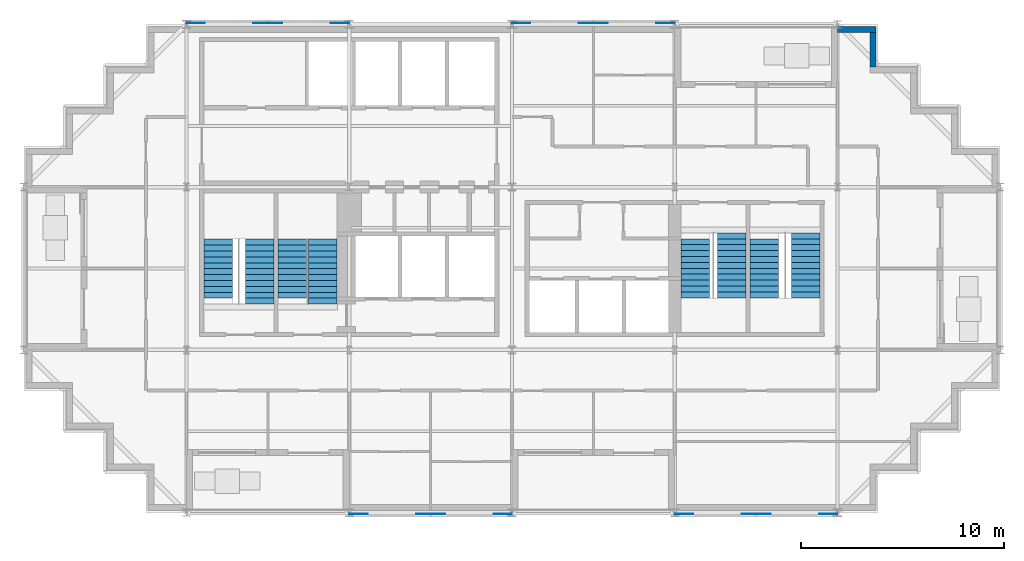
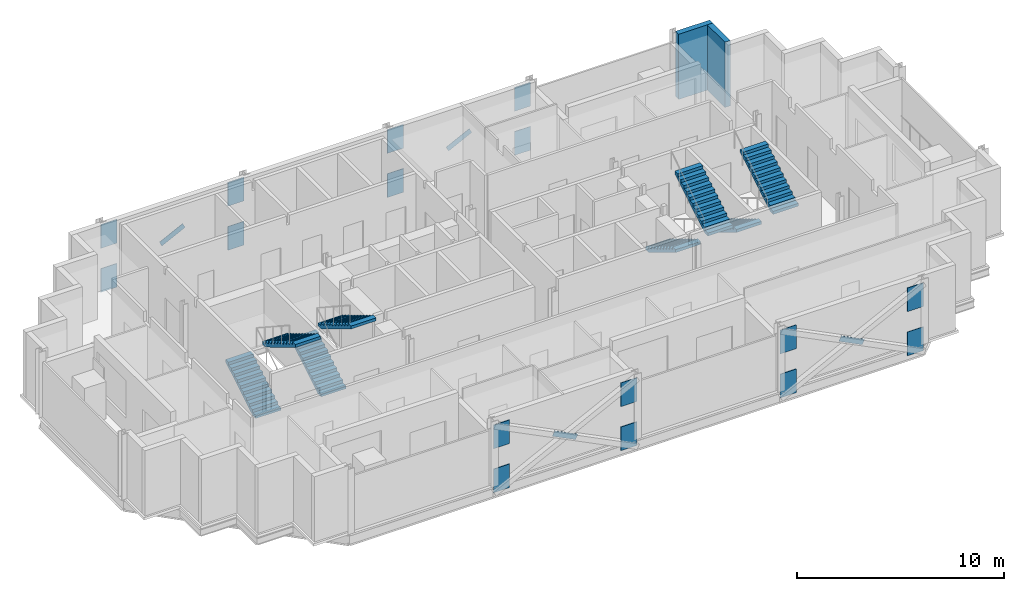
# One storey, part 8 of 10: 20 discrete accessories, 8 stair flights, 2 walls, 4 elements without a shape of their own.
"""IFC4 building model written with IfcOpenShell, lengths in metres."""

from ifc_helpers import new_model, si_unit, direction, frame, frame_2d, origin, origin_2d, place, context, subcontext, project, spatial, polyline, rectangle, outline, extrude, material, layer, layer_set, material_profile, profile_set, type_object, element, aggregate, save


model = new_model("IFC4")

# Units and contexts
model_context = context("Model", 3, precision=1e-05, world=origin(), true_north=direction((0.0, 1.0)))
body_context = subcontext(model_context, "Body", "Model", "MODEL_VIEW")
ifc_project = project(units=[si_unit("LENGTHUNIT", "METRE"), si_unit("AREAUNIT", "SQUARE_METRE"), si_unit("VOLUMEUNIT", "CUBIC_METRE"), si_unit("PLANEANGLEUNIT", "RADIAN"), si_unit("MASSUNIT", "GRAM", prefix="KILO")], contexts=[model_context])

# Site, building, storey
site_placement = place(None, origin())
site = spatial("IfcSite", under=ifc_project, at=site_placement, CompositionType="ELEMENT")
building_placement = place(site_placement, origin())
building = spatial("IfcBuilding", under=site, at=building_placement, Name="Immortelle Media Tower", CompositionType="ELEMENT")
storey_placement = place(building_placement, frame((0.0, 0.0, 279.0)))
storey = spatial("IfcBuildingStorey", under=building, at=storey_placement, Name="L61", CompositionType="ELEMENT", Elevation=279.0)

# Walls
ifc_material_1 = material(Name="Pale aluminium cladding panel", Category="aluminium")
ifc_layer_1 = layer(ifc_material_1, 0.030029296875)
ifc_material_2 = material(Name="Steel ASTM A653 SS Gr 50 stud frame with mineral wool", Category="steel")
ifc_layer_2 = layer(ifc_material_2, 0.257568359375)
ifc_material_3 = material(Name="Moisture-resistant gypsum board", Category="gypsum")
ifc_layer_3 = layer(ifc_material_3, 0.012451171875)
ifc_layer_set = layer_set([ifc_layer_1, ifc_layer_2, ifc_layer_3], Name="Steel ASTM A653 SS Gr 50 stud frame with mineral wool")
wall_type = type_object("IfcWallType", Name="Facade wall 300", PredefinedType="SOLIDWALL", material=ifc_layer_set)
wall_1_placement = place(storey_placement, frame((41.75, 21.89990234375, 0.0), z_axis=(0.0, 0.0, 1.0), x_axis=(0.0, 1.0, 0.0)))
element("IfcWall", 1, at=wall_1_placement, inside=storey, type_object=wall_type, Name="Facade wall L61 E19", PredefinedType="SOLIDWALL", context=body_context, shape_type="SweptSolid", body=[
    extrude(rectangle(XDim=1.7001953125, YDim=0.300048828125, at=frame_2d((0.85009765625, 0.0))), origin(), (0.0, 0.0, 1.0), 3.85009765625),
])
wall_2_placement = place(storey_placement, frame((41.89990234375, 23.75, 0.0), z_axis=(0.0, 0.0, 1.0), x_axis=(-1.0, 0.0, 0.0)))
element("IfcWall", 2, at=wall_2_placement, inside=storey, type_object=wall_type, Name="Facade wall L61 N20", PredefinedType="SOLIDWALL", context=body_context, shape_type="SweptSolid", body=[
    extrude(rectangle(XDim=1.89990234375, YDim=0.300048828125, at=frame_2d((0.949951171875, 0.0))), origin(), (0.0, 0.0, 1.0), 3.85009765625),
])

# Stair, stair flights
ifc_material_4 = material(Name="Steel ASTM A992 Gr 50", Category="steel")
stair_type = type_object("IfcStairType", Name="Stair with flights", PredefinedType="DOUBLE_RETURN_STAIR", material=ifc_material_4)
stair_1_placement = place(storey_placement, origin())
stair_1 = element("IfcStair", 3, at=stair_1_placement, inside=storey, type_object=stair_type, Name="Exit stair SW1", PredefinedType="DOUBLE_RETURN_STAIR")
stair_flight_type = type_object("IfcStairFlightType", Name="Stair flight 1400", PredefinedType="STRAIGHT", material=ifc_material_4)
stair_flight_1_placement = place(storey_placement, frame((9.550048828125, 10.5400390625, 0.0), z_axis=(0.0, 0.0, 1.0), x_axis=(0.0, 1.0, 0.0)))
stair_flight_1 = element("IfcStairFlight", 4, at=stair_flight_1_placement, type_object=stair_flight_type, Name="ST SW1 flight 1", NumberOfRisers=11, NumberOfTreads=10, PredefinedType="STRAIGHT", RiserHeight=0.173913043, TreadLength=0.29, context=body_context, shape_type="SweptSolid", body=[
    extrude(outline(polyline([(0.0, 0.0), (0.0, 0.173828125), (0.2900390625, 0.173828125), (0.2900390625, 0.347900390625), (0.580078125, 0.347900390625), (0.580078125, 0.521728515625), (0.8701171875, 0.521728515625), (0.8701171875, 0.695556640625), (1.159912109375, 0.695556640625), (1.159912109375, 0.86962890625), (1.449951171875, 0.86962890625), (1.449951171875, 1.04345703125), (1.739990234375, 1.04345703125), (1.739990234375, 1.21728515625), (2.030029296875, 1.21728515625), (2.030029296875, 1.391357421875), (2.320068359375, 1.391357421875), (2.320068359375, 1.565185546875), (2.610107421875, 1.565185546875), (2.610107421875, 1.739013671875), (2.89990234375, 1.739013671875), (2.89990234375, 1.9130859375), (2.89990234375, 1.564453125), (0.29150390625, 0.0), (0.0, 0.0)])), frame((0.0, 0.699951171875, 0.0), z_axis=(0.0, -1.0, 0.0), x_axis=(1.0, 0.0, 0.0)), (0.0, 0.0, 1.0), 1.39990234375),
])
stair_flight_2_placement = place(storey_placement, frame((11.60009765625, 13.43994140625, 1.9130859375), z_axis=(0.0, 0.0, 1.0), x_axis=(0.0, -1.0, 0.0)))
stair_flight_2 = element("IfcStairFlight", 5, at=stair_flight_2_placement, type_object=stair_flight_type, Name="ST SW1 flight 2", NumberOfRisers=12, NumberOfTreads=11, PredefinedType="STRAIGHT", RiserHeight=0.173913043, TreadLength=0.29, context=body_context, shape_type="SweptSolid", body=[
    extrude(outline(polyline([(0.0, 0.0), (0.0, 0.173828125), (0.2900390625, 0.173828125), (0.2900390625, 0.347900390625), (0.580078125, 0.347900390625), (0.580078125, 0.521728515625), (0.8701171875, 0.521728515625), (0.8701171875, 0.695556640625), (1.159912109375, 0.695556640625), (1.159912109375, 0.86962890625), (1.449951171875, 0.86962890625), (1.449951171875, 1.04345703125), (1.739990234375, 1.04345703125), (1.739990234375, 1.21728515625), (2.030029296875, 1.21728515625), (2.030029296875, 1.391357421875), (2.320068359375, 1.391357421875), (2.320068359375, 1.565185546875), (2.610107421875, 1.565185546875), (2.610107421875, 1.739013671875), (2.89990234375, 1.739013671875), (2.89990234375, 1.9130859375), (3.18994140625, 1.9130859375), (3.18994140625, 2.0869140625), (3.18994140625, 1.73828125), (0.29150390625, 0.0), (0.0, 0.0)])), frame((0.0, 0.699951171875, 0.0), z_axis=(0.0, -1.0, 0.0), x_axis=(1.0, 0.0, 0.0)), (0.0, 0.0, 1.0), 1.39990234375),
])
aggregate(stair_1, [stair_flight_1, stair_flight_2])

stair_2_placement = place(storey_placement, origin())
stair_2 = element("IfcStair", 6, at=stair_2_placement, inside=storey, type_object=stair_type, Name="Exit stair SW2", PredefinedType="DOUBLE_RETURN_STAIR")
stair_flight_3_placement = place(storey_placement, frame((13.199951171875, 10.5400390625, 0.0), z_axis=(0.0, 0.0, 1.0), x_axis=(0.0, 1.0, 0.0)))
stair_flight_3 = element("IfcStairFlight", 7, at=stair_flight_3_placement, type_object=stair_flight_type, Name="ST SW2 flight 1", NumberOfRisers=11, NumberOfTreads=10, PredefinedType="STRAIGHT", RiserHeight=0.173913043, TreadLength=0.29, context=body_context, shape_type="SweptSolid", body=[
    extrude(outline(polyline([(0.0, 0.0), (0.0, 0.173828125), (0.2900390625, 0.173828125), (0.2900390625, 0.347900390625), (0.580078125, 0.347900390625), (0.580078125, 0.521728515625), (0.8701171875, 0.521728515625), (0.8701171875, 0.695556640625), (1.159912109375, 0.695556640625), (1.159912109375, 0.86962890625), (1.449951171875, 0.86962890625), (1.449951171875, 1.04345703125), (1.739990234375, 1.04345703125), (1.739990234375, 1.21728515625), (2.030029296875, 1.21728515625), (2.030029296875, 1.391357421875), (2.320068359375, 1.391357421875), (2.320068359375, 1.565185546875), (2.610107421875, 1.565185546875), (2.610107421875, 1.739013671875), (2.89990234375, 1.739013671875), (2.89990234375, 1.9130859375), (2.89990234375, 1.564453125), (0.29150390625, 0.0), (0.0, 0.0)])), frame((0.0, 0.699951171875, 0.0), z_axis=(0.0, -1.0, 0.0), x_axis=(1.0, 0.0, 0.0)), (0.0, 0.0, 1.0), 1.39990234375),
])
stair_flight_4_placement = place(storey_placement, frame((14.699951171875, 13.43994140625, 1.9130859375), z_axis=(0.0, 0.0, 1.0), x_axis=(0.0, -1.0, 0.0)))
stair_flight_4 = element("IfcStairFlight", 8, at=stair_flight_4_placement, type_object=stair_flight_type, Name="ST SW2 flight 2", NumberOfRisers=12, NumberOfTreads=11, PredefinedType="STRAIGHT", RiserHeight=0.173913043, TreadLength=0.29, context=body_context, shape_type="SweptSolid", body=[
    extrude(outline(polyline([(0.0, 0.0), (0.0, 0.173828125), (0.2900390625, 0.173828125), (0.2900390625, 0.347900390625), (0.580078125, 0.347900390625), (0.580078125, 0.521728515625), (0.8701171875, 0.521728515625), (0.8701171875, 0.695556640625), (1.159912109375, 0.695556640625), (1.159912109375, 0.86962890625), (1.449951171875, 0.86962890625), (1.449951171875, 1.04345703125), (1.739990234375, 1.04345703125), (1.739990234375, 1.21728515625), (2.030029296875, 1.21728515625), (2.030029296875, 1.391357421875), (2.320068359375, 1.391357421875), (2.320068359375, 1.565185546875), (2.610107421875, 1.565185546875), (2.610107421875, 1.739013671875), (2.89990234375, 1.739013671875), (2.89990234375, 1.9130859375), (3.18994140625, 1.9130859375), (3.18994140625, 2.0869140625), (3.18994140625, 1.73828125), (0.29150390625, 0.0), (0.0, 0.0)])), frame((0.0, 0.699951171875, 0.0), z_axis=(0.0, -1.0, 0.0), x_axis=(1.0, 0.0, 0.0)), (0.0, 0.0, 1.0), 1.39990234375),
])
aggregate(stair_2, [stair_flight_3, stair_flight_4])

stair_3_placement = place(storey_placement, origin())
stair_3 = element("IfcStair", 9, at=stair_3_placement, inside=storey, type_object=stair_type, Name="Exit stair SE1", PredefinedType="DOUBLE_RETURN_STAIR")
stair_flight_5_placement = place(storey_placement, frame((33.0, 13.4599609375, 0.0), z_axis=(0.0, 0.0, 1.0), x_axis=(0.0, -1.0, 0.0)))
stair_flight_5 = element("IfcStairFlight", 10, at=stair_flight_5_placement, type_object=stair_flight_type, Name="ST SE1 flight 1", NumberOfRisers=11, NumberOfTreads=10, PredefinedType="STRAIGHT", RiserHeight=0.173913043, TreadLength=0.29, context=body_context, shape_type="SweptSolid", body=[
    extrude(outline(polyline([(0.0, 0.0), (0.0, 0.173828125), (0.2900390625, 0.173828125), (0.2900390625, 0.347900390625), (0.580078125, 0.347900390625), (0.580078125, 0.521728515625), (0.8701171875, 0.521728515625), (0.8701171875, 0.695556640625), (1.159912109375, 0.695556640625), (1.159912109375, 0.86962890625), (1.449951171875, 0.86962890625), (1.449951171875, 1.04345703125), (1.739990234375, 1.04345703125), (1.739990234375, 1.21728515625), (2.030029296875, 1.21728515625), (2.030029296875, 1.391357421875), (2.320068359375, 1.391357421875), (2.320068359375, 1.565185546875), (2.610107421875, 1.565185546875), (2.610107421875, 1.739013671875), (2.89990234375, 1.739013671875), (2.89990234375, 1.9130859375), (2.89990234375, 1.564453125), (0.29150390625, 0.0), (0.0, 0.0)])), frame((0.0, 0.699951171875, 0.0), z_axis=(0.0, -1.0, 0.0), x_axis=(1.0, 0.0, 0.0)), (0.0, 0.0, 1.0), 1.39990234375),
])
stair_flight_6_placement = place(storey_placement, frame((34.800048828125, 10.56005859375, 1.9130859375), z_axis=(0.0, 0.0, 1.0), x_axis=(0.0, 1.0, 0.0)))
stair_flight_6 = element("IfcStairFlight", 11, at=stair_flight_6_placement, type_object=stair_flight_type, Name="ST SE1 flight 2", NumberOfRisers=12, NumberOfTreads=11, PredefinedType="STRAIGHT", RiserHeight=0.173913043, TreadLength=0.29, context=body_context, shape_type="SweptSolid", body=[
    extrude(outline(polyline([(0.0, 0.0), (0.0, 0.173828125), (0.2900390625, 0.173828125), (0.2900390625, 0.347900390625), (0.580078125, 0.347900390625), (0.580078125, 0.521728515625), (0.8701171875, 0.521728515625), (0.8701171875, 0.695556640625), (1.159912109375, 0.695556640625), (1.159912109375, 0.86962890625), (1.449951171875, 0.86962890625), (1.449951171875, 1.04345703125), (1.739990234375, 1.04345703125), (1.739990234375, 1.21728515625), (2.030029296875, 1.21728515625), (2.030029296875, 1.391357421875), (2.320068359375, 1.391357421875), (2.320068359375, 1.565185546875), (2.610107421875, 1.565185546875), (2.610107421875, 1.739013671875), (2.89990234375, 1.739013671875), (2.89990234375, 1.9130859375), (3.18994140625, 1.9130859375), (3.18994140625, 2.0869140625), (3.18994140625, 1.73828125), (0.29150390625, 0.0), (0.0, 0.0)])), frame((0.0, 0.699951171875, 0.0), z_axis=(0.0, -1.0, 0.0), x_axis=(1.0, 0.0, 0.0)), (0.0, 0.0, 1.0), 1.39990234375),
])
aggregate(stair_3, [stair_flight_5, stair_flight_6])

stair_4_placement = place(storey_placement, origin())
stair_4 = element("IfcStair", 12, at=stair_4_placement, inside=storey, type_object=stair_type, Name="Exit stair SE2", PredefinedType="DOUBLE_RETURN_STAIR")
stair_flight_7_placement = place(storey_placement, frame((36.39990234375, 13.4599609375, 0.0), z_axis=(0.0, 0.0, 1.0), x_axis=(0.0, -1.0, 0.0)))
stair_flight_7 = element("IfcStairFlight", 13, at=stair_flight_7_placement, type_object=stair_flight_type, Name="ST SE2 flight 1", NumberOfRisers=11, NumberOfTreads=10, PredefinedType="STRAIGHT", RiserHeight=0.173913043, TreadLength=0.29, context=body_context, shape_type="SweptSolid", body=[
    extrude(outline(polyline([(0.0, 0.0), (0.0, 0.173828125), (0.2900390625, 0.173828125), (0.2900390625, 0.347900390625), (0.580078125, 0.347900390625), (0.580078125, 0.521728515625), (0.8701171875, 0.521728515625), (0.8701171875, 0.695556640625), (1.159912109375, 0.695556640625), (1.159912109375, 0.86962890625), (1.449951171875, 0.86962890625), (1.449951171875, 1.04345703125), (1.739990234375, 1.04345703125), (1.739990234375, 1.21728515625), (2.030029296875, 1.21728515625), (2.030029296875, 1.391357421875), (2.320068359375, 1.391357421875), (2.320068359375, 1.565185546875), (2.610107421875, 1.565185546875), (2.610107421875, 1.739013671875), (2.89990234375, 1.739013671875), (2.89990234375, 1.9130859375), (2.89990234375, 1.564453125), (0.29150390625, 0.0), (0.0, 0.0)])), frame((0.0, 0.699951171875, 0.0), z_axis=(0.0, -1.0, 0.0), x_axis=(1.0, 0.0, 0.0)), (0.0, 0.0, 1.0), 1.39990234375),
])
stair_flight_8_placement = place(storey_placement, frame((38.449951171875, 10.56005859375, 1.9130859375), z_axis=(0.0, 0.0, 1.0), x_axis=(0.0, 1.0, 0.0)))
stair_flight_8 = element("IfcStairFlight", 14, at=stair_flight_8_placement, type_object=stair_flight_type, Name="ST SE2 flight 2", NumberOfRisers=12, NumberOfTreads=11, PredefinedType="STRAIGHT", RiserHeight=0.173913043, TreadLength=0.29, context=body_context, shape_type="SweptSolid", body=[
    extrude(outline(polyline([(0.0, 0.0), (0.0, 0.173828125), (0.2900390625, 0.173828125), (0.2900390625, 0.347900390625), (0.580078125, 0.347900390625), (0.580078125, 0.521728515625), (0.8701171875, 0.521728515625), (0.8701171875, 0.695556640625), (1.159912109375, 0.695556640625), (1.159912109375, 0.86962890625), (1.449951171875, 0.86962890625), (1.449951171875, 1.04345703125), (1.739990234375, 1.04345703125), (1.739990234375, 1.21728515625), (2.030029296875, 1.21728515625), (2.030029296875, 1.391357421875), (2.320068359375, 1.391357421875), (2.320068359375, 1.565185546875), (2.610107421875, 1.565185546875), (2.610107421875, 1.739013671875), (2.89990234375, 1.739013671875), (2.89990234375, 1.9130859375), (3.18994140625, 1.9130859375), (3.18994140625, 2.0869140625), (3.18994140625, 1.73828125), (0.29150390625, 0.0), (0.0, 0.0)])), frame((0.0, 0.699951171875, 0.0), z_axis=(0.0, -1.0, 0.0), x_axis=(1.0, 0.0, 0.0)), (0.0, 0.0, 1.0), 1.39990234375),
])
aggregate(stair_4, [stair_flight_7, stair_flight_8])

# Discrete accessories
ifc_material_5 = material(Name="Steel ASTM A572 Gr 50", Category="steel")
ifc_material_profile_1 = material_profile(ifc_material_5, rectangle(XDim=0.02001953125, YDim=0.304931640625, at=origin_2d()), Name="PL 20 x 305")
ifc_profile_set_1 = profile_set([ifc_material_profile_1], Name="Steel ASTM A572 Gr 50")
discrete_accessory_type_1 = type_object("IfcDiscreteAccessoryType", Name="Crossing plate XP-BR7 1450 x 305 x 20", PredefinedType="USERDEFINED", material=ifc_profile_set_1)
for number, where, z_axis, x_axis, name in (
    (15, (28.6484375, 24.0625, 1.873291015625), (-0.894427191, 0.0, -0.4472135955), (0.0, -1.0, 0.0), "Crossing plate XP-BR7 of Brace D/4-5 A and Brace D/4-5 B"),
    (16, (12.6484375, 24.0625, 1.873291015625), (-0.894427191, 0.0, -0.4472135955), (0.0, -1.0, 0.0), "Crossing plate XP-BR7 of Brace D/2-3 A and Brace D/2-3 B"),
    (17, (19.3515625, -0.0625, 1.873291015625), (0.894427191, 0.0, -0.4472135955), (0.0, 1.0, 0.0), "Crossing plate XP-BR7 of Brace A/3-4 A and Brace A/3-4 B"),
    (18, (35.3515625, -0.0625, 1.873291015625), (0.894427191, 0.0, -0.4472135955), (0.0, 1.0, 0.0), "Crossing plate XP-BR7 of Brace A/5-6 A and Brace A/5-6 B"),
):
    element("IfcDiscreteAccessory", number, at=place(storey_placement, frame(where, z_axis=z_axis, x_axis=x_axis)), inside=storey, type_object=discrete_accessory_type_1, Name=name, ObjectType="CROSSING PLATE", PredefinedType="USERDEFINED", context=body_context, shape_type="SweptSolid", body=[
        extrude(rectangle(XDim=0.02001953125, YDim=0.304931640625, at=origin_2d()), origin(), (0.0, 0.0, 1.0), 1.449951171875),
    ])
ifc_material_profile_2 = material_profile(ifc_material_5, rectangle(XDim=0.031982421875, YDim=1.39990234375, at=origin_2d()), Name="PL 32 x 1400")
ifc_profile_set_2 = profile_set([ifc_material_profile_2], Name="Steel ASTM A572 Gr 50")
discrete_accessory_type_2 = type_object("IfcDiscreteAccessoryType", Name="Gusset plate GP1 900 x 1400 x 32", PredefinedType="USERDEFINED", material=ifc_profile_set_2)
for number, where, z_axis, x_axis, name in (
    (19, (16.0, -0.0625, 0.2490234375), (1.0, 0.0, 0.0), (0.0, 1.0, 0.0), "Gusset plate GP1, lower end of Brace A/3-4 A"),
    (20, (24.0, -0.0625, 2.84912109375), (-1.0, 0.0, 0.0), (0.0, -1.0, 0.0), "Gusset plate GP1, upper end of Brace A/3-4 A"),
    (21, (24.0, -0.0625, 0.2490234375), (-1.0, 0.0, 0.0), (0.0, -1.0, 0.0), "Gusset plate GP1, lower end of Brace A/3-4 B"),
    (22, (16.0, -0.0625, 2.84912109375), (1.0, 0.0, 0.0), (0.0, 1.0, 0.0), "Gusset plate GP1, upper end of Brace A/3-4 B"),
    (23, (32.0, -0.0625, 0.2490234375), (1.0, 0.0, 0.0), (0.0, 1.0, 0.0), "Gusset plate GP1, lower end of Brace A/5-6 A"),
    (24, (40.0, -0.0625, 2.84912109375), (-1.0, 0.0, 0.0), (0.0, -1.0, 0.0), "Gusset plate GP1, upper end of Brace A/5-6 A"),
    (25, (40.0, -0.0625, 0.2490234375), (-1.0, 0.0, 0.0), (0.0, -1.0, 0.0), "Gusset plate GP1, lower end of Brace A/5-6 B"),
    (26, (32.0, -0.0625, 2.84912109375), (1.0, 0.0, 0.0), (0.0, 1.0, 0.0), "Gusset plate GP1, upper end of Brace A/5-6 B"),
    (27, (32.0, 24.0625, 0.2490234375), (-1.0, 0.0, 0.0), (0.0, -1.0, 0.0), "Gusset plate GP1, lower end of Brace D/4-5 A"),
    (28, (24.0, 24.0625, 2.84912109375), (1.0, 0.0, 0.0), (0.0, 1.0, 0.0), "Gusset plate GP1, upper end of Brace D/4-5 A"),
    (29, (24.0, 24.0625, 0.2490234375), (1.0, 0.0, 0.0), (0.0, 1.0, 0.0), "Gusset plate GP1, lower end of Brace D/4-5 B"),
    (30, (32.0, 24.0625, 2.84912109375), (-1.0, 0.0, 0.0), (0.0, -1.0, 0.0), "Gusset plate GP1, upper end of Brace D/4-5 B"),
    (31, (16.0, 24.0625, 0.2490234375), (-1.0, 0.0, 0.0), (0.0, -1.0, 0.0), "Gusset plate GP1, lower end of Brace D/2-3 A"),
    (32, (8.0, 24.0625, 2.84912109375), (1.0, 0.0, 0.0), (0.0, 1.0, 0.0), "Gusset plate GP1, upper end of Brace D/2-3 A"),
    (33, (8.0, 24.0625, 0.2490234375), (1.0, 0.0, 0.0), (0.0, 1.0, 0.0), "Gusset plate GP1, lower end of Brace D/2-3 B"),
    (34, (16.0, 24.0625, 2.84912109375), (-1.0, 0.0, 0.0), (0.0, -1.0, 0.0), "Gusset plate GP1, upper end of Brace D/2-3 B"),
):
    element("IfcDiscreteAccessory", number, at=place(storey_placement, frame(where, z_axis=z_axis, x_axis=x_axis)), inside=storey, type_object=discrete_accessory_type_2, Name=name, ObjectType="GUSSET PLATE", PredefinedType="USERDEFINED", context=body_context, shape_type="SweptSolid", body=[
        extrude(rectangle(XDim=0.031982421875, YDim=1.39990234375, at=origin_2d()), origin(), (0.0, 0.0, 1.0), 0.89990234375),
    ])

save(model, "model.ifc")
